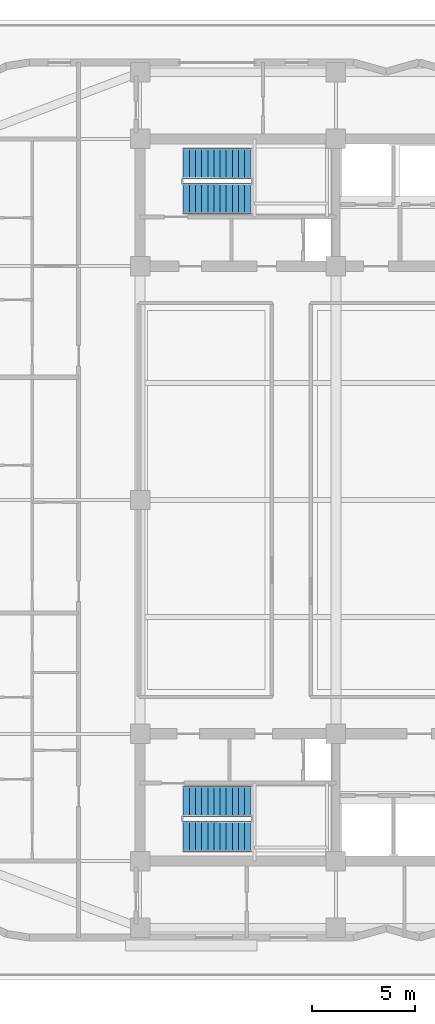
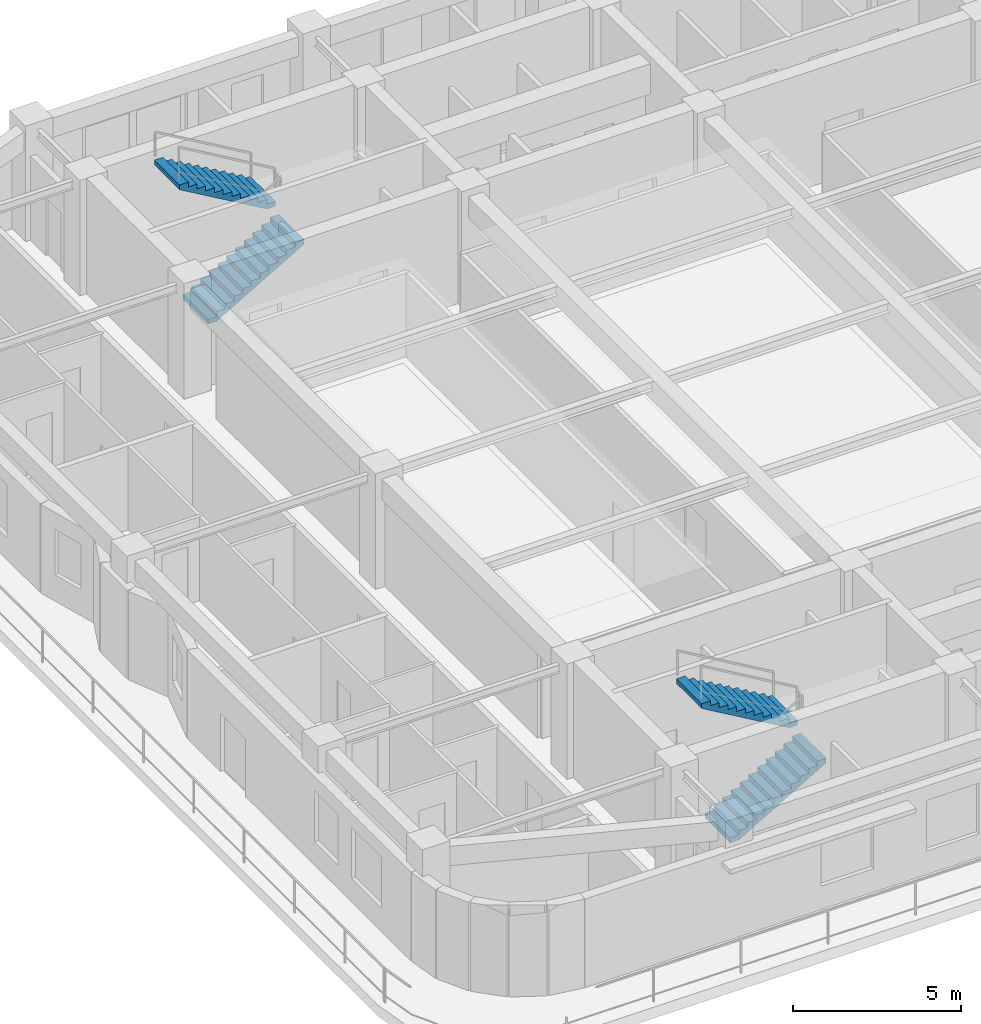
# One storey, part 11 of 14: 4 stair flights, 2 elements without a shape of their own.
"""IFC4 building model written with IfcOpenShell, lengths in metres."""

from ifc_helpers import new_model, si_unit, direction, frame, origin, place, context, subcontext, project, spatial, polyline, outline, extrude, material, type_object, element, aggregate, save


model = new_model("IFC4")

# Units and contexts
model_context = context("Model", 3, precision=1e-05, world=origin(), true_north=direction((0.0, 1.0)))
body_context = subcontext(model_context, "Body", "Model", "MODEL_VIEW")
ifc_project = project(units=[si_unit("LENGTHUNIT", "METRE"), si_unit("AREAUNIT", "SQUARE_METRE"), si_unit("VOLUMEUNIT", "CUBIC_METRE"), si_unit("PLANEANGLEUNIT", "RADIAN"), si_unit("MASSUNIT", "GRAM", prefix="KILO")], contexts=[model_context])

# Site, building, storey
site_placement = place(None, origin())
site = spatial("IfcSite", under=ifc_project, at=site_placement, CompositionType="ELEMENT")
building_placement = place(site_placement, origin())
building = spatial("IfcBuilding", under=site, at=building_placement, Name="Svetorya Sky Lyceum", CompositionType="ELEMENT")
storey_placement = place(building_placement, frame((0.0, 0.0, 143.60009765625)))
storey = spatial("IfcBuildingStorey", under=building, at=storey_placement, Name="L35", CompositionType="ELEMENT", Elevation=143.60009765625)

# Stair, stair flights
ifc_material = material(Name="Concrete C40/50", Category="concrete")
stair_type_1 = type_object("IfcStairType", Name="STR-ST-N", PredefinedType="HALF_TURN_STAIR", material=ifc_material)
stair_1_placement = place(storey_placement, origin())
stair_1 = element("IfcStair", 1, at=stair_1_placement, inside=storey, type_object=stair_type_1, Name="L35 North Core Smoke-Free Exit Stair N3", PredefinedType="HALF_TURN_STAIR")
stair_flight_type_1 = type_object("IfcStairFlightType", Name="SFL-ST-N", PredefinedType="STRAIGHT", material=ifc_material)
stair_flight_1_placement = place(storey_placement, frame((27.699951171875, 42.89990234375, 0.0), z_axis=(0.0, 0.0, 1.0), x_axis=(1.0, 0.0, 0.0)))
stair_flight_1 = element("IfcStairFlight", 2, at=stair_flight_1_placement, type_object=stair_flight_type_1, Name="ST-N flight 1", NumberOfRisers=12, NumberOfTreads=11, PredefinedType="STRAIGHT", RiserHeight=0.175, TreadLength=0.3, context=body_context, shape_type="SweptSolid", body=[
    extrude(outline(polyline([(0.0, 0.0), (0.0, 0.175048828125), (0.300048828125, 0.175048828125), (0.300048828125, 0.35009765625), (0.60009765625, 0.35009765625), (0.60009765625, 0.52490234375), (0.89990234375, 0.52490234375), (0.89990234375, 0.699951171875), (1.199951171875, 0.699951171875), (1.199951171875, 0.875), (1.5, 0.875), (1.5, 1.050048828125), (1.800048828125, 1.050048828125), (1.800048828125, 1.22509765625), (2.10009765625, 1.22509765625), (2.10009765625, 1.39990234375), (2.39990234375, 1.39990234375), (2.39990234375, 1.574951171875), (2.699951171875, 1.574951171875), (2.699951171875, 1.75), (3.0, 1.75), (3.0, 1.925048828125), (3.300048828125, 1.925048828125), (3.300048828125, 2.10009765625), (3.300048828125, 1.75146484375), (0.297607421875, 0.0), (0.0, 0.0)])), frame((0.0, 0.75, 0.0), z_axis=(0.0, -1.0, 0.0), x_axis=(1.0, 0.0, 0.0)), (0.0, 0.0, 1.0), 1.5),
])
stair_flight_2_placement = place(storey_placement, frame((31.0, 44.60009765625, 2.099853515625), z_axis=(0.0, 0.0, 1.0), x_axis=(-1.0, 0.0, 0.0)))
stair_flight_2 = element("IfcStairFlight", 3, at=stair_flight_2_placement, type_object=stair_flight_type_1, Name="ST-N flight 2", NumberOfRisers=12, NumberOfTreads=11, PredefinedType="STRAIGHT", RiserHeight=0.175, TreadLength=0.3, context=body_context, shape_type="SweptSolid", body=[
    extrude(outline(polyline([(0.0, 0.0), (0.0, 0.175048828125), (0.300048828125, 0.175048828125), (0.300048828125, 0.35009765625), (0.60009765625, 0.35009765625), (0.60009765625, 0.52490234375), (0.89990234375, 0.52490234375), (0.89990234375, 0.699951171875), (1.199951171875, 0.699951171875), (1.199951171875, 0.875), (1.5, 0.875), (1.5, 1.050048828125), (1.800048828125, 1.050048828125), (1.800048828125, 1.22509765625), (2.10009765625, 1.22509765625), (2.10009765625, 1.39990234375), (2.39990234375, 1.39990234375), (2.39990234375, 1.574951171875), (2.699951171875, 1.574951171875), (2.699951171875, 1.75), (3.0, 1.75), (3.0, 1.925048828125), (3.300048828125, 1.925048828125), (3.300048828125, 2.10009765625), (3.300048828125, 1.75146484375), (0.297607421875, 0.0), (0.0, 0.0)])), frame((0.0, 0.75, 0.0), z_axis=(0.0, -1.0, 0.0), x_axis=(1.0, 0.0, 0.0)), (0.0, 0.0, 1.0), 1.5),
])
aggregate(stair_1, [stair_flight_1, stair_flight_2])

stair_type_2 = type_object("IfcStairType", Name="STR-ST-S", PredefinedType="HALF_TURN_STAIR", material=ifc_material)
stair_2_placement = place(storey_placement, origin())
stair_2 = element("IfcStair", 4, at=stair_2_placement, inside=storey, type_object=stair_type_2, Name="L35 South Core Smoke-Free Exit Stair N2", PredefinedType="HALF_TURN_STAIR")
stair_flight_type_2 = type_object("IfcStairFlightType", Name="SFL-ST-S", PredefinedType="STRAIGHT", material=ifc_material)
stair_flight_3_placement = place(storey_placement, frame((27.699951171875, 11.800048828125, 0.0), z_axis=(0.0, 0.0, 1.0), x_axis=(1.0, 0.0, 0.0)))
stair_flight_3 = element("IfcStairFlight", 5, at=stair_flight_3_placement, type_object=stair_flight_type_2, Name="ST-S flight 1", NumberOfRisers=12, NumberOfTreads=11, PredefinedType="STRAIGHT", RiserHeight=0.175, TreadLength=0.3, context=body_context, shape_type="SweptSolid", body=[
    extrude(outline(polyline([(0.0, 0.0), (0.0, 0.175048828125), (0.300048828125, 0.175048828125), (0.300048828125, 0.35009765625), (0.60009765625, 0.35009765625), (0.60009765625, 0.52490234375), (0.89990234375, 0.52490234375), (0.89990234375, 0.699951171875), (1.199951171875, 0.699951171875), (1.199951171875, 0.875), (1.5, 0.875), (1.5, 1.050048828125), (1.800048828125, 1.050048828125), (1.800048828125, 1.22509765625), (2.10009765625, 1.22509765625), (2.10009765625, 1.39990234375), (2.39990234375, 1.39990234375), (2.39990234375, 1.574951171875), (2.699951171875, 1.574951171875), (2.699951171875, 1.75), (3.0, 1.75), (3.0, 1.925048828125), (3.300048828125, 1.925048828125), (3.300048828125, 2.10009765625), (3.300048828125, 1.75146484375), (0.297607421875, 0.0), (0.0, 0.0)])), frame((0.0, 0.75, 0.0), z_axis=(0.0, -1.0, 0.0), x_axis=(1.0, 0.0, 0.0)), (0.0, 0.0, 1.0), 1.5),
])
stair_flight_4_placement = place(storey_placement, frame((31.0, 13.5, 2.099853515625), z_axis=(0.0, 0.0, 1.0), x_axis=(-1.0, 0.0, 0.0)))
stair_flight_4 = element("IfcStairFlight", 6, at=stair_flight_4_placement, type_object=stair_flight_type_2, Name="ST-S flight 2", NumberOfRisers=12, NumberOfTreads=11, PredefinedType="STRAIGHT", RiserHeight=0.175, TreadLength=0.3, context=body_context, shape_type="SweptSolid", body=[
    extrude(outline(polyline([(0.0, 0.0), (0.0, 0.175048828125), (0.300048828125, 0.175048828125), (0.300048828125, 0.35009765625), (0.60009765625, 0.35009765625), (0.60009765625, 0.52490234375), (0.89990234375, 0.52490234375), (0.89990234375, 0.699951171875), (1.199951171875, 0.699951171875), (1.199951171875, 0.875), (1.5, 0.875), (1.5, 1.050048828125), (1.800048828125, 1.050048828125), (1.800048828125, 1.22509765625), (2.10009765625, 1.22509765625), (2.10009765625, 1.39990234375), (2.39990234375, 1.39990234375), (2.39990234375, 1.574951171875), (2.699951171875, 1.574951171875), (2.699951171875, 1.75), (3.0, 1.75), (3.0, 1.925048828125), (3.300048828125, 1.925048828125), (3.300048828125, 2.10009765625), (3.300048828125, 1.75146484375), (0.297607421875, 0.0), (0.0, 0.0)])), frame((0.0, 0.75, 0.0), z_axis=(0.0, -1.0, 0.0), x_axis=(1.0, 0.0, 0.0)), (0.0, 0.0, 1.0), 1.5),
])
aggregate(stair_2, [stair_flight_3, stair_flight_4])

save(model, "model.ifc")
